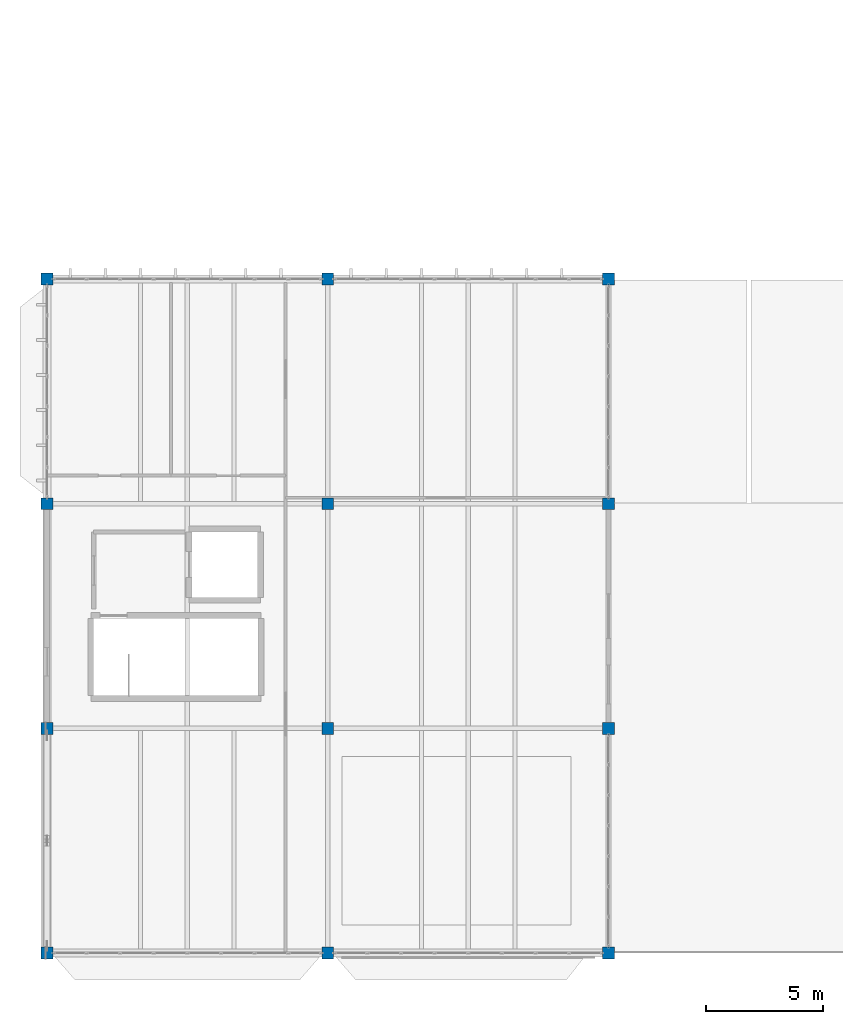
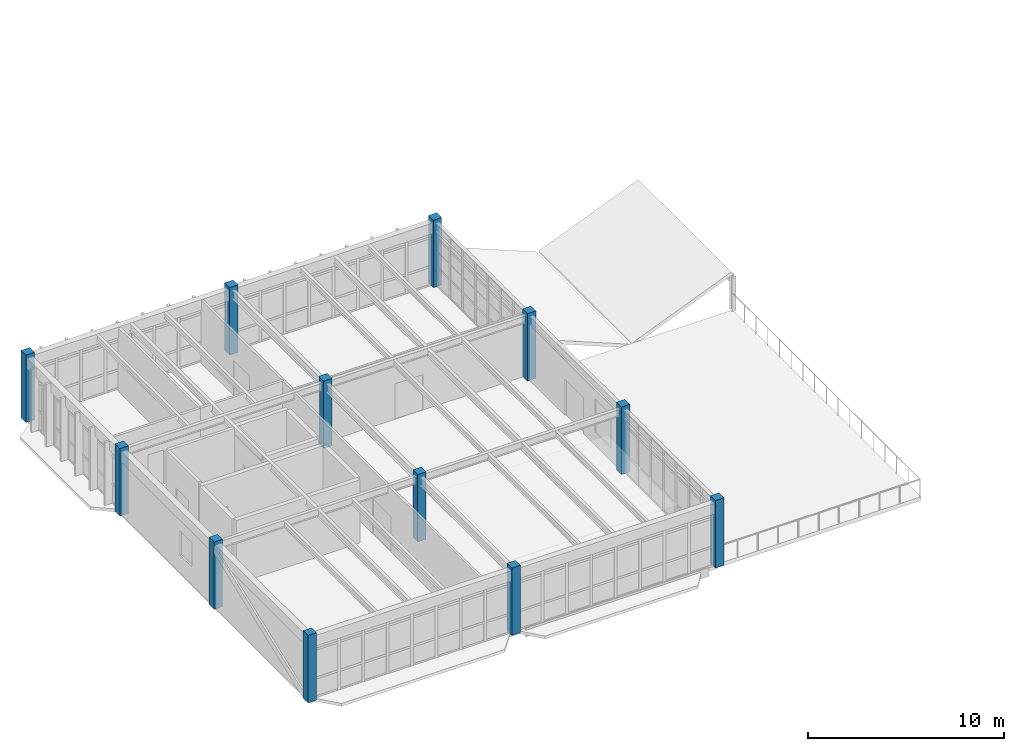
# One storey, part 1 of 83: 12 columns.
"""IFC4 building model written with IfcOpenShell, lengths in metres."""

from ifc_helpers import new_model, si_unit, direction, frame, origin, origin_2d, place, context, subcontext, project, spatial, rectangle, extrude, material, material_profile, profile_set, type_object, element, save


model = new_model("IFC4")

# Units and contexts
model_context = context("Model", 3, precision=1e-05, world=origin(), true_north=direction((0.0, 1.0)))
body_context = subcontext(model_context, "Body", "Model", "MODEL_VIEW")
ifc_project = project(units=[si_unit("LENGTHUNIT", "METRE"), si_unit("AREAUNIT", "SQUARE_METRE"), si_unit("VOLUMEUNIT", "CUBIC_METRE"), si_unit("PLANEANGLEUNIT", "RADIAN"), si_unit("MASSUNIT", "GRAM", prefix="KILO")], contexts=[model_context])

# Site, building, storey
site_placement = place(None, origin())
site = spatial("IfcSite", under=ifc_project, at=site_placement, CompositionType="ELEMENT")
building_placement = place(site_placement, origin())
building = spatial("IfcBuilding", under=site, at=building_placement, Name="Pandanus Reach Market Hall", CompositionType="ELEMENT")
storey_placement = place(building_placement, frame((0.0, 0.0, 10.199951171875)))
storey = spatial("IfcBuildingStorey", under=building, at=storey_placement, Name="L02", CompositionType="ELEMENT", Elevation=10.199951171875)

# Columns
ifc_material = material(Name="Concrete N40 (40 MPa)", Category="concrete")
ifc_material_profile_1 = material_profile(ifc_material, rectangle(XDim=0.5, YDim=0.5, at=origin_2d()), Name="RC500x500", Category="LoadBearing")
ifc_profile_set_1 = profile_set([ifc_material_profile_1], Name="Concrete N40 (40 MPa)")
column_type_1 = type_object("IfcColumnType", Name="CL-RC500-E", PredefinedType="COLUMN", material=ifc_profile_set_1)
for number, where, z_axis, x_axis, name in (
    (1, (0.0, 0.0, 0.0), (0.0, 0.0, 1.0), (1.0, 0.0, 0.0), "Column CL-RC500-E V3-0-0 L02"),
    (2, (12.0, 0.0, 0.0), (0.0, 0.0, 1.0), (1.0, 0.0, 0.0), "Column CL-RC500-E V3-12-0 L02"),
    (3, (24.0, 0.0, 0.0), (0.0, 0.0, 1.0), (1.0, 0.0, 0.0), "Column CL-RC500-E V3-24-0 L02"),
    (4, (0.0, 9.60009765625, 0.0), (0.0, 0.0, 1.0), (1.0, 0.0, 0.0), "Column CL-RC500-E V3-0-96 L02"),
    (5, (24.0, 9.60009765625, 0.0), (0.0, 0.0, 1.0), (1.0, 0.0, 0.0), "Column CL-RC500-E V3-24-96 L02"),
    (6, (0.0, 19.199951171875, 0.0), (0.0, 0.0, 1.0), (1.0, 0.0, 0.0), "Column CL-RC500-E V3-0-192 L02"),
    (7, (24.0, 19.199951171875, 0.0), (0.0, 0.0, 1.0), (1.0, 0.0, 0.0), "Column CL-RC500-E V3-24-192 L02"),
    (8, (0.0, 28.800048828125, 0.0), (0.0, 0.0, 1.0), (1.0, 0.0, 0.0), "Column CL-RC500-E V3-0-288 L02"),
    (9, (12.0, 28.800048828125, 0.0), (0.0, 0.0, 1.0), (1.0, 0.0, 0.0), "Column CL-RC500-E V3-12-288 L02"),
    (10, (24.0, 28.800048828125, 0.0), (0.0, 0.0, 1.0), (1.0, 0.0, 0.0), "Column CL-RC500-E V3-24-288 L02"),
):
    element("IfcColumn", number, at=place(storey_placement, frame(where, z_axis=z_axis, x_axis=x_axis)), inside=storey, type_object=column_type_1, Name=name, PredefinedType="COLUMN", context=body_context, shape_type="SweptSolid", body=[
        extrude(rectangle(XDim=0.5, YDim=0.5, at=origin_2d()), origin(), (0.0, 0.0, 1.0), 4.199951171875),
    ])
ifc_material_profile_2 = material_profile(ifc_material, rectangle(XDim=0.5, YDim=0.5, at=origin_2d()), Name="RC500x500", Category="LoadBearing")
ifc_profile_set_2 = profile_set([ifc_material_profile_2], Name="Concrete N40 (40 MPa)")
column_type_2 = type_object("IfcColumnType", Name="CL-RC500-I", PredefinedType="COLUMN", material=ifc_profile_set_2)
for number, where, z_axis, x_axis, name in (
    (11, (12.0, 9.60009765625, 0.0), (0.0, 0.0, 1.0), (1.0, 0.0, 0.0), "Column CL-RC500-I V3-12-96 L02"),
    (12, (12.0, 19.199951171875, 0.0), (0.0, 0.0, 1.0), (1.0, 0.0, 0.0), "Column CL-RC500-I V3-12-192 L02"),
):
    element("IfcColumn", number, at=place(storey_placement, frame(where, z_axis=z_axis, x_axis=x_axis)), inside=storey, type_object=column_type_2, Name=name, PredefinedType="COLUMN", context=body_context, shape_type="SweptSolid", body=[
        extrude(rectangle(XDim=0.5, YDim=0.5, at=origin_2d()), origin(), (0.0, 0.0, 1.0), 4.199951171875),
    ])

save(model, "model.ifc")
